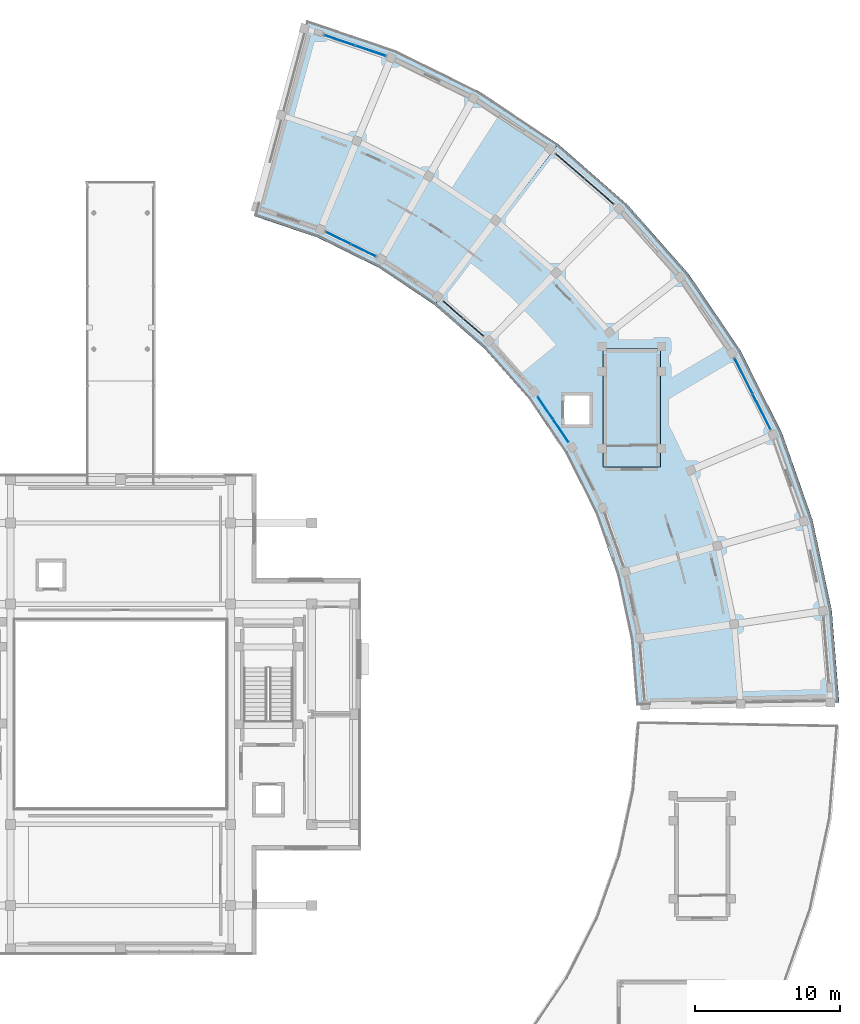
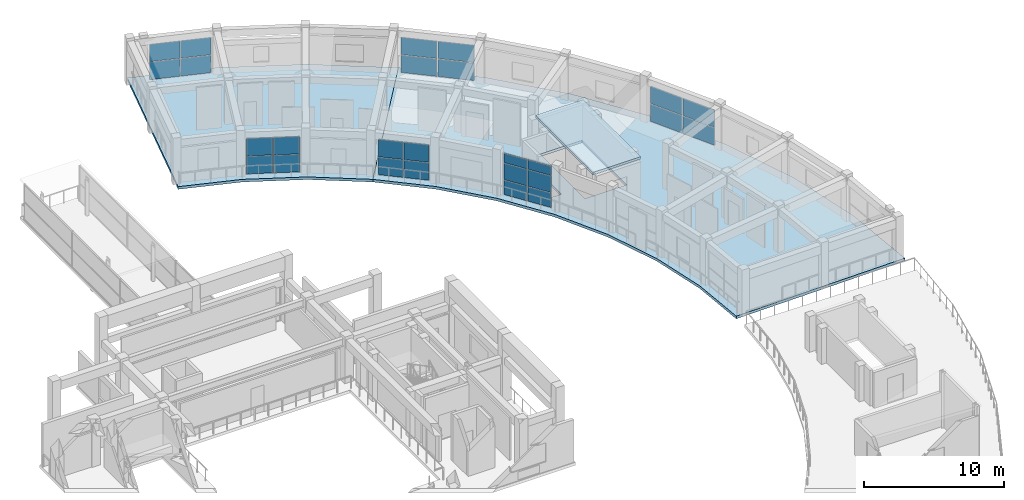
# One storey, part 17 of 29: 26 plates, 3 slabs, 6 elements without a shape of their own.
"""IFC4 building model written with IfcOpenShell, lengths in metres."""

from ifc_helpers import new_model, si_unit, direction, frame, origin, origin_2d, place, context, subcontext, project, spatial, polyline, rectangle, outline, extrude, material, layer, layer_set, type_object, element, aggregate, save


model = new_model("IFC4")

# Units and contexts
model_context = context("Model", 3, precision=1e-05, world=origin(), true_north=direction((0.0, 1.0)))
body_context = subcontext(model_context, "Body", "Model", "MODEL_VIEW")
ifc_project = project(units=[si_unit("LENGTHUNIT", "METRE"), si_unit("AREAUNIT", "SQUARE_METRE"), si_unit("VOLUMEUNIT", "CUBIC_METRE"), si_unit("PLANEANGLEUNIT", "RADIAN"), si_unit("MASSUNIT", "GRAM", prefix="KILO")], contexts=[model_context])

# Site, building, storey
site_placement = place(None, origin())
site = spatial("IfcSite", under=ifc_project, at=site_placement, CompositionType="ELEMENT")
building_placement = place(site_placement, origin())
building = spatial("IfcBuilding", under=site, at=building_placement, Name="Saryqyr Civic Hall", CompositionType="ELEMENT")
storey_placement = place(building_placement, frame((0.0, 0.0, 25.35009765625)))
storey = spatial("IfcBuildingStorey", under=building, at=storey_placement, Name="L06", CompositionType="ELEMENT", Elevation=25.35009765625)

# Curtain wall, plates
ifc_material_1 = material(Name="Anodised aluminium and triple low-E glass", Category="aluminium")
curtain_wall_type_1 = type_object("IfcCurtainWallType", Name="ENV-CW-STD-40", PredefinedType="NOTDEFINED", material=ifc_material_1)
curtain_wall_1_placement = place(storey_placement, origin())
curtain_wall_1 = element("IfcCurtainWall", 1, at=curtain_wall_1_placement, inside=storey, type_object=curtain_wall_type_1, Name="Curtain wall V6-CWO-L06-03", PredefinedType="NOTDEFINED")
ifc_material_2 = material(Name="Triple low-E insulated glazing", Category="glass")
ifc_layer_1 = layer(ifc_material_2, 0.053955078125, Name="Triple low-E insulated glazing")
ifc_layer_set_1 = layer_set([ifc_layer_1], Name="Triple low-E insulated glazing")
plate_type = type_object("IfcPlateType", Name="ENV-CW-PNL-38", PredefinedType="CURTAIN_PANEL", material=ifc_layer_set_1)
plate_1_placement = place(storey_placement, frame((99.997314453125, 107.326171875, 0.06005859375), z_axis=(0.0, 0.0, 1.0), x_axis=(0.451943063525, -0.892046785394, 0.0)))
plate_1 = element("IfcPlate", 2, at=plate_1_placement, type_object=plate_type, Name="CW-40 panel 1.1", PredefinedType="CURTAIN_PANEL", context=body_context, shape_type="SweptSolid", body=[
    extrude(rectangle(XDim=2.693115234375, YDim=0.053955078125, at=origin_2d()), origin(), (0.0, 0.0, 1.0), 1.5029296875),
])
plate_2_placement = place(storey_placement, frame((99.997314453125, 107.326171875, 1.623046875), z_axis=(0.0, 0.0, 1.0), x_axis=(0.451943063525, -0.892046785394, 0.0)))
plate_2 = element("IfcPlate", 3, at=plate_2_placement, type_object=plate_type, Name="CW-40 panel 1.2", PredefinedType="CURTAIN_PANEL", context=body_context, shape_type="SweptSolid", body=[
    extrude(rectangle(XDim=2.693115234375, YDim=0.053955078125, at=origin_2d()), origin(), (0.0, 0.0, 1.0), 1.501953125),
])
plate_3_placement = place(storey_placement, frame((101.241455078125, 104.870361328125, 0.06005859375), z_axis=(0.0, 0.0, 1.0), x_axis=(0.451943063525, -0.892046785394, 0.0)))
plate_3 = element("IfcPlate", 4, at=plate_3_placement, type_object=plate_type, Name="CW-40 panel 2.1", PredefinedType="CURTAIN_PANEL", context=body_context, shape_type="SweptSolid", body=[
    extrude(rectangle(XDim=2.693115234375, YDim=0.053955078125, at=origin_2d()), origin(), (0.0, 0.0, 1.0), 1.5029296875),
])
plate_4_placement = place(storey_placement, frame((101.241455078125, 104.870361328125, 1.623046875), z_axis=(0.0, 0.0, 1.0), x_axis=(0.451943063525, -0.892046785394, 0.0)))
plate_4 = element("IfcPlate", 5, at=plate_4_placement, type_object=plate_type, Name="CW-40 panel 2.2", PredefinedType="CURTAIN_PANEL", context=body_context, shape_type="SweptSolid", body=[
    extrude(rectangle(XDim=2.693115234375, YDim=0.053955078125, at=origin_2d()), origin(), (0.0, 0.0, 1.0), 1.501953125),
])
aggregate(curtain_wall_1, [plate_1, plate_2, plate_3, plate_4])

curtain_wall_type_2 = type_object("IfcCurtainWallType", Name="ENV-CW-STD-44", PredefinedType="NOTDEFINED", material=ifc_material_1)
curtain_wall_2_placement = place(storey_placement, origin())
curtain_wall_2 = element("IfcCurtainWall", 6, at=curtain_wall_2_placement, inside=storey, type_object=curtain_wall_type_2, Name="Curtain wall V6-CWI-L06-04", PredefinedType="NOTDEFINED")
plate_5_placement = place(storey_placement, frame((87.385986328125, 103.559326171875, 0.06005859375), z_axis=(0.0, 0.0, 1.0), x_axis=(-0.563129803105, 0.826368455869, 0.0)))
plate_5 = element("IfcPlate", 7, at=plate_5_placement, type_object=plate_type, Name="CW-44 panel 1.1", PredefinedType="CURTAIN_PANEL", context=body_context, shape_type="SweptSolid", body=[
    extrude(rectangle(XDim=1.836181640625, YDim=0.053955078125, at=origin_2d()), origin(), (0.0, 0.0, 1.0), 1.241943359375),
])
plate_6_placement = place(storey_placement, frame((87.385986328125, 103.559326171875, 1.362060546875), z_axis=(0.0, 0.0, 1.0), x_axis=(-0.563129803105, 0.826368455869, 0.0)))
plate_6 = element("IfcPlate", 8, at=plate_6_placement, type_object=plate_type, Name="CW-44 panel 1.2", PredefinedType="CURTAIN_PANEL", context=body_context, shape_type="SweptSolid", body=[
    extrude(rectangle(XDim=1.836181640625, YDim=0.053955078125, at=origin_2d()), origin(), (0.0, 0.0, 1.0), 1.419921875),
])
plate_7_placement = place(storey_placement, frame((87.385986328125, 103.559326171875, 2.841796875), z_axis=(0.0, 0.0, 1.0), x_axis=(-0.563129803105, 0.826368455869, 0.0)))
plate_7 = element("IfcPlate", 9, at=plate_7_placement, type_object=plate_type, Name="CW-44 panel 1.3", PredefinedType="CURTAIN_PANEL", context=body_context, shape_type="SweptSolid", body=[
    extrude(rectangle(XDim=1.836181640625, YDim=0.053955078125, at=origin_2d()), origin(), (0.0, 0.0, 1.0), 0.798095703125),
])
plate_8_placement = place(storey_placement, frame((86.318115234375, 105.126220703125, 0.06005859375), z_axis=(0.0, 0.0, 1.0), x_axis=(-0.563129803105, 0.826368455869, 0.0)))
plate_8 = element("IfcPlate", 10, at=plate_8_placement, type_object=plate_type, Name="CW-44 panel 2.1", PredefinedType="CURTAIN_PANEL", context=body_context, shape_type="SweptSolid", body=[
    extrude(rectangle(XDim=1.836181640625, YDim=0.053955078125, at=origin_2d()), origin(), (0.0, 0.0, 1.0), 1.241943359375),
])
plate_9_placement = place(storey_placement, frame((86.318115234375, 105.126220703125, 1.362060546875), z_axis=(0.0, 0.0, 1.0), x_axis=(-0.563129803105, 0.826368455869, 0.0)))
plate_9 = element("IfcPlate", 11, at=plate_9_placement, type_object=plate_type, Name="CW-44 panel 2.2", PredefinedType="CURTAIN_PANEL", context=body_context, shape_type="SweptSolid", body=[
    extrude(rectangle(XDim=1.836181640625, YDim=0.053955078125, at=origin_2d()), origin(), (0.0, 0.0, 1.0), 1.419921875),
])
plate_10_placement = place(storey_placement, frame((86.318115234375, 105.126220703125, 2.841796875), z_axis=(0.0, 0.0, 1.0), x_axis=(-0.563129803105, 0.826368455869, 0.0)))
plate_10 = element("IfcPlate", 12, at=plate_10_placement, type_object=plate_type, Name="CW-44 panel 2.3", PredefinedType="CURTAIN_PANEL", context=body_context, shape_type="SweptSolid", body=[
    extrude(rectangle(XDim=1.836181640625, YDim=0.053955078125, at=origin_2d()), origin(), (0.0, 0.0, 1.0), 0.798095703125),
])
aggregate(curtain_wall_2, [plate_5, plate_6, plate_7, plate_8, plate_9, plate_10])

curtain_wall_type_3 = type_object("IfcCurtainWallType", Name="ENV-CW-STD-39", PredefinedType="NOTDEFINED", material=ifc_material_1)
curtain_wall_3_placement = place(storey_placement, origin())
curtain_wall_3 = element("IfcCurtainWall", 13, at=curtain_wall_3_placement, inside=storey, type_object=curtain_wall_type_3, Name="Curtain wall V6-CWO-L06-06", PredefinedType="NOTDEFINED")
plate_11_placement = place(storey_placement, frame((88.012451171875, 121.828857421875, 0.06005859375), z_axis=(0.0, 0.0, 1.0), x_axis=(0.755657475938, -0.654967006085, 0.0)))
plate_11 = element("IfcPlate", 14, at=plate_11_placement, type_object=plate_type, Name="CW-39 panel 1.1", PredefinedType="CURTAIN_PANEL", context=body_context, shape_type="SweptSolid", body=[
    extrude(rectangle(XDim=2.624267578125, YDim=0.053955078125, at=origin_2d()), origin(), (0.0, 0.0, 1.0), 1.5029296875),
])
plate_12_placement = place(storey_placement, frame((88.012451171875, 121.828857421875, 1.623046875), z_axis=(0.0, 0.0, 1.0), x_axis=(0.755657475938, -0.654967006085, 0.0)))
plate_12 = element("IfcPlate", 15, at=plate_12_placement, type_object=plate_type, Name="CW-39 panel 1.2", PredefinedType="CURTAIN_PANEL", context=body_context, shape_type="SweptSolid", body=[
    extrude(rectangle(XDim=2.624267578125, YDim=0.053955078125, at=origin_2d()), origin(), (0.0, 0.0, 1.0), 1.501953125),
])
plate_13_placement = place(storey_placement, frame((90.040771484375, 120.07080078125, 0.06005859375), z_axis=(0.0, 0.0, 1.0), x_axis=(0.755657475938, -0.654967006085, 0.0)))
plate_13 = element("IfcPlate", 16, at=plate_13_placement, type_object=plate_type, Name="CW-39 panel 2.1", PredefinedType="CURTAIN_PANEL", context=body_context, shape_type="SweptSolid", body=[
    extrude(rectangle(XDim=2.624267578125, YDim=0.053955078125, at=origin_2d()), origin(), (0.0, 0.0, 1.0), 1.5029296875),
])
plate_14_placement = place(storey_placement, frame((90.040771484375, 120.07080078125, 1.623046875), z_axis=(0.0, 0.0, 1.0), x_axis=(0.755657475938, -0.654967006085, 0.0)))
plate_14 = element("IfcPlate", 17, at=plate_14_placement, type_object=plate_type, Name="CW-39 panel 2.2", PredefinedType="CURTAIN_PANEL", context=body_context, shape_type="SweptSolid", body=[
    extrude(rectangle(XDim=2.624267578125, YDim=0.053955078125, at=origin_2d()), origin(), (0.0, 0.0, 1.0), 1.501953125),
])
aggregate(curtain_wall_3, [plate_11, plate_12, plate_13, plate_14])

curtain_wall_type_4 = type_object("IfcCurtainWallType", Name="ENV-CW-STD-27", PredefinedType="NOTDEFINED", material=ifc_material_1)
curtain_wall_4_placement = place(storey_placement, origin())
curtain_wall_4 = element("IfcCurtainWall", 18, at=curtain_wall_4_placement, inside=storey, type_object=curtain_wall_type_4, Name="Curtain wall V6-CWI-L06-06", PredefinedType="NOTDEFINED")
plate_15_placement = place(storey_placement, frame((81.3623046875, 110.689208984375, 0.06005859375), z_axis=(0.0, 0.0, 1.0), x_axis=(-0.755651502076, 0.654973898267, 0.0)))
plate_15 = element("IfcPlate", 19, at=plate_15_placement, type_object=plate_type, Name="CW-27 panel 1.1", PredefinedType="CURTAIN_PANEL", context=body_context, shape_type="SweptSolid", body=[
    extrude(rectangle(XDim=1.797607421875, YDim=0.053955078125, at=origin_2d()), origin(), (0.0, 0.0, 1.0), 1.5029296875),
])
plate_16_placement = place(storey_placement, frame((81.3623046875, 110.689208984375, 1.623046875), z_axis=(0.0, 0.0, 1.0), x_axis=(-0.755651502076, 0.654973898267, 0.0)))
plate_16 = element("IfcPlate", 20, at=plate_16_placement, type_object=plate_type, Name="CW-27 panel 1.2", PredefinedType="CURTAIN_PANEL", context=body_context, shape_type="SweptSolid", body=[
    extrude(rectangle(XDim=1.797607421875, YDim=0.053955078125, at=origin_2d()), origin(), (0.0, 0.0, 1.0), 1.501953125),
])
plate_17_placement = place(storey_placement, frame((79.95849609375, 111.906005859375, 0.06005859375), z_axis=(0.0, 0.0, 1.0), x_axis=(-0.755651502076, 0.654973898267, 0.0)))
plate_17 = element("IfcPlate", 21, at=plate_17_placement, type_object=plate_type, Name="CW-27 panel 2.1", PredefinedType="CURTAIN_PANEL", context=body_context, shape_type="SweptSolid", body=[
    extrude(rectangle(XDim=1.797607421875, YDim=0.053955078125, at=origin_2d()), origin(), (0.0, 0.0, 1.0), 1.5029296875),
])
plate_18_placement = place(storey_placement, frame((79.95849609375, 111.906005859375, 1.623046875), z_axis=(0.0, 0.0, 1.0), x_axis=(-0.755651502076, 0.654973898267, 0.0)))
plate_18 = element("IfcPlate", 22, at=plate_18_placement, type_object=plate_type, Name="CW-27 panel 2.2", PredefinedType="CURTAIN_PANEL", context=body_context, shape_type="SweptSolid", body=[
    extrude(rectangle(XDim=1.797607421875, YDim=0.053955078125, at=origin_2d()), origin(), (0.0, 0.0, 1.0), 1.501953125),
])
aggregate(curtain_wall_4, [plate_15, plate_16, plate_17, plate_18])

curtain_wall_type_5 = type_object("IfcCurtainWallType", Name="ENV-CW-STD-25", PredefinedType="NOTDEFINED", material=ifc_material_1)
curtain_wall_5_placement = place(storey_placement, origin())
curtain_wall_5 = element("IfcCurtainWall", 23, at=curtain_wall_5_placement, inside=storey, type_object=curtain_wall_type_5, Name="Curtain wall V6-CWI-L06-08", PredefinedType="NOTDEFINED")
plate_19_placement = place(storey_placement, frame((73.762939453125, 116.01416015625, 0.06005859375), z_axis=(0.0, 0.0, 1.0), x_axis=(-0.897961859945, 0.440073287175, 0.0)))
plate_19 = element("IfcPlate", 24, at=plate_19_placement, type_object=plate_type, Name="CW-25 panel 1.1", PredefinedType="CURTAIN_PANEL", context=body_context, shape_type="SweptSolid", body=[
    extrude(rectangle(XDim=1.868896484375, YDim=0.053955078125, at=origin_2d()), origin(), (0.0, 0.0, 1.0), 1.5029296875),
])
plate_20_placement = place(storey_placement, frame((73.762939453125, 116.01416015625, 1.623046875), z_axis=(0.0, 0.0, 1.0), x_axis=(-0.897961859945, 0.440073287175, 0.0)))
plate_20 = element("IfcPlate", 25, at=plate_20_placement, type_object=plate_type, Name="CW-25 panel 1.2", PredefinedType="CURTAIN_PANEL", context=body_context, shape_type="SweptSolid", body=[
    extrude(rectangle(XDim=1.868896484375, YDim=0.053955078125, at=origin_2d()), origin(), (0.0, 0.0, 1.0), 1.501953125),
])
plate_21_placement = place(storey_placement, frame((72.03076171875, 116.863037109375, 0.06005859375), z_axis=(0.0, 0.0, 1.0), x_axis=(-0.897961859945, 0.440073287175, 0.0)))
plate_21 = element("IfcPlate", 26, at=plate_21_placement, type_object=plate_type, Name="CW-25 panel 2.1", PredefinedType="CURTAIN_PANEL", context=body_context, shape_type="SweptSolid", body=[
    extrude(rectangle(XDim=1.868896484375, YDim=0.053955078125, at=origin_2d()), origin(), (0.0, 0.0, 1.0), 1.5029296875),
])
plate_22_placement = place(storey_placement, frame((72.03076171875, 116.863037109375, 1.623046875), z_axis=(0.0, 0.0, 1.0), x_axis=(-0.897961859945, 0.440073287175, 0.0)))
plate_22 = element("IfcPlate", 27, at=plate_22_placement, type_object=plate_type, Name="CW-25 panel 2.2", PredefinedType="CURTAIN_PANEL", context=body_context, shape_type="SweptSolid", body=[
    extrude(rectangle(XDim=1.868896484375, YDim=0.053955078125, at=origin_2d()), origin(), (0.0, 0.0, 1.0), 1.501953125),
])
aggregate(curtain_wall_5, [plate_19, plate_20, plate_21, plate_22])

curtain_wall_type_6 = type_object("IfcCurtainWallType", Name="ENV-CW-STD-30", PredefinedType="NOTDEFINED", material=ifc_material_1)
curtain_wall_6_placement = place(storey_placement, origin())
curtain_wall_6 = element("IfcCurtainWall", 28, at=curtain_wall_6_placement, inside=storey, type_object=curtain_wall_type_6, Name="Curtain wall V6-CWO-L06-09", PredefinedType="NOTDEFINED")
plate_23_placement = place(storey_placement, frame((72.106201171875, 130.509765625, 0.06005859375), z_axis=(0.0, 0.0, 1.0), x_axis=(0.947190494511, -0.320671431699, 0.0)))
plate_23 = element("IfcPlate", 29, at=plate_23_placement, type_object=plate_type, Name="CW-30 panel 1.1", PredefinedType="CURTAIN_PANEL", context=body_context, shape_type="SweptSolid", body=[
    extrude(rectangle(XDim=2.193603515625, YDim=0.053955078125, at=origin_2d()), origin(), (0.0, 0.0, 1.0), 1.5029296875),
])
plate_24_placement = place(storey_placement, frame((72.106201171875, 130.509765625, 1.623046875), z_axis=(0.0, 0.0, 1.0), x_axis=(0.947190494511, -0.320671431699, 0.0)))
plate_24 = element("IfcPlate", 30, at=plate_24_placement, type_object=plate_type, Name="CW-30 panel 1.2", PredefinedType="CURTAIN_PANEL", context=body_context, shape_type="SweptSolid", body=[
    extrude(rectangle(XDim=2.193603515625, YDim=0.053955078125, at=origin_2d()), origin(), (0.0, 0.0, 1.0), 1.501953125),
])
plate_25_placement = place(storey_placement, frame((74.24072265625, 129.787109375, 0.06005859375), z_axis=(0.0, 0.0, 1.0), x_axis=(0.947190494511, -0.320671431699, 0.0)))
plate_25 = element("IfcPlate", 31, at=plate_25_placement, type_object=plate_type, Name="CW-30 panel 2.1", PredefinedType="CURTAIN_PANEL", context=body_context, shape_type="SweptSolid", body=[
    extrude(rectangle(XDim=2.193603515625, YDim=0.053955078125, at=origin_2d()), origin(), (0.0, 0.0, 1.0), 1.5029296875),
])
plate_26_placement = place(storey_placement, frame((74.24072265625, 129.787109375, 1.623046875), z_axis=(0.0, 0.0, 1.0), x_axis=(0.947190494511, -0.320671431699, 0.0)))
plate_26 = element("IfcPlate", 32, at=plate_26_placement, type_object=plate_type, Name="CW-30 panel 2.2", PredefinedType="CURTAIN_PANEL", context=body_context, shape_type="SweptSolid", body=[
    extrude(rectangle(XDim=2.193603515625, YDim=0.053955078125, at=origin_2d()), origin(), (0.0, 0.0, 1.0), 1.501953125),
])
aggregate(curtain_wall_6, [plate_23, plate_24, plate_25, plate_26])

# Slabs
ifc_material_3 = material(Name="Concrete C35/45", Category="concrete")
ifc_layer_2 = layer(ifc_material_3, 0.22998046875, Name="Concrete C35/45")
ifc_layer_set_2 = layer_set([ifc_layer_2], Name="Concrete C35/45")
slab_type_1 = type_object("IfcSlabType", Name="STR-SLB-FLR-230", PredefinedType="FLOOR", material=ifc_layer_set_2)
slab_1_placement = place(storey_placement, frame((0.0, 0.0, -0.22998046875)))
element("IfcSlab", 33, at=slab_1_placement, inside=storey, type_object=slab_type_1, Name="Slab SLB-V6A-L06", PredefinedType="FLOOR", context=body_context, shape_type="SweptSolid", body=[
    extrude(outline(polyline([(92.225830078125, 89.14794921875), (91.275390625, 93.62060546875), (89.759521484375, 97.9345703125), (87.703125, 102.0185546875), (85.140380859375, 105.805419921875), (82.11328125, 109.232666015625), (78.671875, 112.243408203125), (87.194580078125, 123.350341796875), (91.9892578125, 119.155517578125), (96.206787109375, 114.380615234375), (99.777587890625, 109.1044921875), (102.642578125, 103.414306640625), (104.75439453125, 97.40380859375), (106.07861328125, 91.17236328125), (106.59326171875, 84.822509765625), (92.59521484375, 84.590087890625), (92.225830078125, 89.14794921875)]), holes=[polyline([(89.39990234375, 106.050048828125), (87.60009765625, 106.050048828125), (87.60009765625, 103.949951171875), (89.39990234375, 103.949951171875), (89.39990234375, 106.050048828125)]), polyline([(90.56005859375, 109.0), (90.56005859375, 102.6201171875), (94.0, 102.6201171875), (94.0, 109.0), (90.56005859375, 109.0)])]), origin(), (0.0, 0.0, 1.0), 0.22998046875),
])
slab_2_placement = place(storey_placement, frame((0.0, 0.0, -0.22998046875)))
element("IfcSlab", 34, at=slab_2_placement, inside=storey, type_object=slab_type_1, Name="Slab SLB-V6B-L06", PredefinedType="FLOOR", context=body_context, shape_type="SweptSolid", body=[
    extrude(outline(polyline([(74.800048828125, 114.83056640625), (70.62353515625, 116.89013671875), (66.214111328125, 118.386962890625), (69.83740234375, 131.909912109375), (75.981201171875, 129.824462890625), (81.800048828125, 126.954833984375), (87.194580078125, 123.350341796875), (78.671875, 112.243408203125), (74.800048828125, 114.83056640625)])), origin(), (0.0, 0.0, 1.0), 0.22998046875),
])
ifc_layer_3 = layer(ifc_material_3, 0.2099609375, Name="Concrete C35/45")
ifc_layer_set_3 = layer_set([ifc_layer_3], Name="Concrete C35/45")
slab_type_2 = type_object("IfcSlabType", Name="STR-SLB-ROOF-210", PredefinedType="ROOF", material=ifc_layer_set_3)
slab_3_placement = place(storey_placement, frame((0.0, 0.0, 3.099853515625)))
element("IfcSlab", 35, at=slab_3_placement, inside=storey, type_object=slab_type_2, Name="Stair headhouse roof slab ST-6", PredefinedType="ROOF", context=body_context, shape_type="SweptSolid", body=[
    extrude(outline(polyline([(94.25, 101.050048828125), (94.25, 109.25), (90.31005859375, 109.25), (90.31005859375, 101.050048828125), (94.25, 101.050048828125)])), origin(), (0.0, 0.0, 1.0), 0.2099609375),
])

save(model, "model.ifc")
